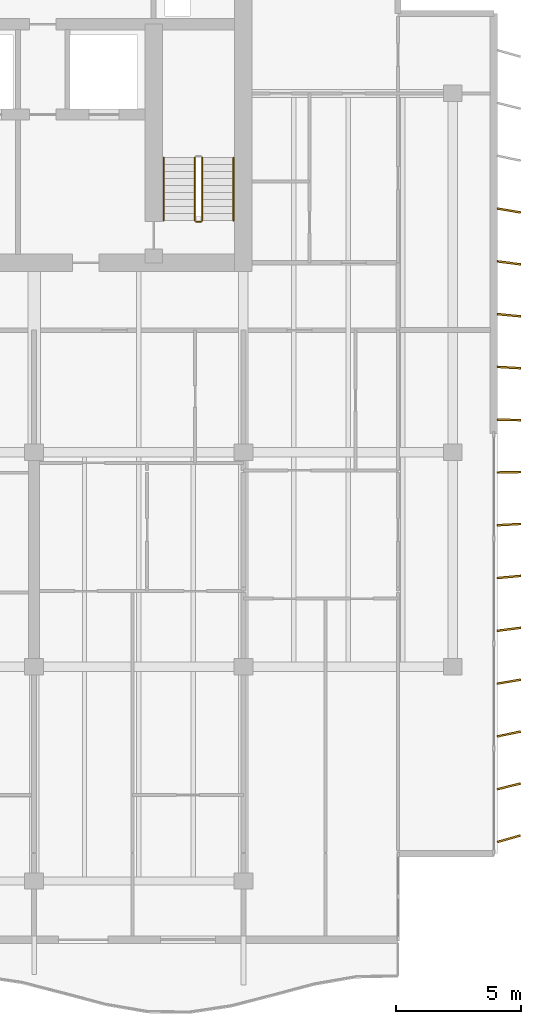
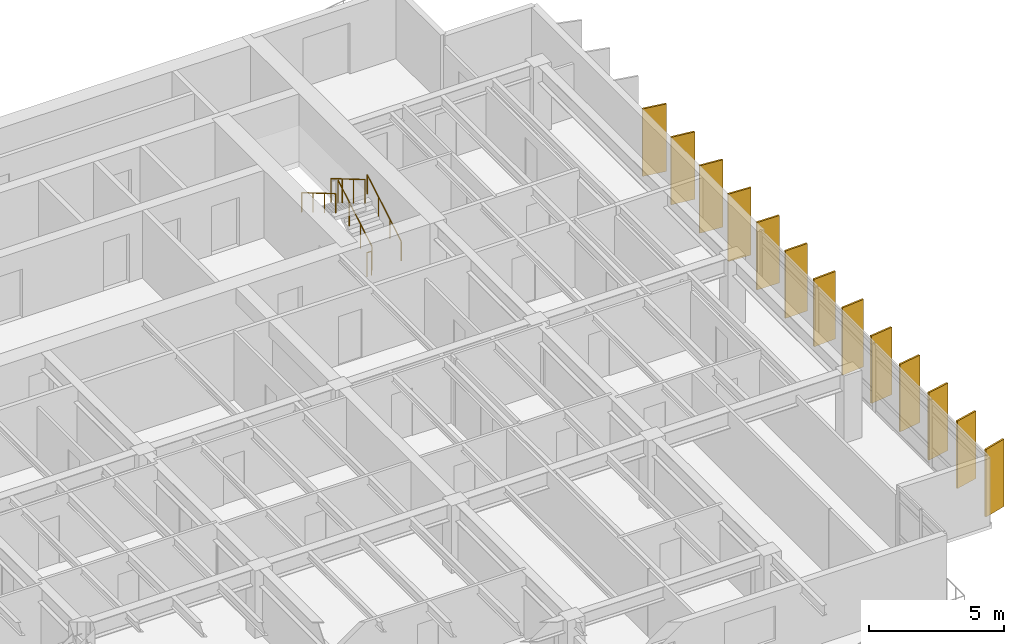
# One storey, part 15 of 17: 13 shading devices, 5 railings.
"""IFC4 building model written with IfcOpenShell, lengths in metres."""

import ifcopenshell
import ifcopenshell.guid

model = None  # the IFC model being written
_history = None  # IfcOwnerHistory: only IFC2X3 demands one
_inside = {}  # id of a spatial element -> (the spatial element, [elements in it])
_under = {}  # id of a project, library or spatial element -> (it, [spatial elements below it])
_declared = {}  # id of a project -> (the project, [libraries it declares])
_typed = {}  # id of a type object -> (the type object, [elements of that type])
_made_of = {}  # id of a material, layer set ... -> (it, [elements and type objects made of it])


def new_model(schema):
    """Start an empty IFC model of exactly this schema.

    Asked for "IFC4X3", IfcOpenShell would pick the latest addendum, in which some entities
    have other attributes; the version numbers below select the first issue.
    IFC2X3 requires an IfcOwnerHistory on every rooted entity: one is made here for all.
    """
    global model, _history
    if schema == "IFC4X3":
        model = ifcopenshell.file(schema_version=(4, 3, 0, 0))
    else:
        model = ifcopenshell.file(schema=schema)
    _inside.clear()
    _under.clear()
    _declared.clear()
    _typed.clear()
    _made_of.clear()
    _history = None
    if model.schema == "IFC2X3":
        org = make("IfcOrganization", Name="unknown")
        user = make(
            "IfcPersonAndOrganization",
            ThePerson=make("IfcPerson", FamilyName="unknown"),
            TheOrganization=org,
        )
        app = make(
            "IfcApplication",
            ApplicationDeveloper=org,
            Version="unknown",
            ApplicationFullName="unknown",
            ApplicationIdentifier="unknown",
        )
        _history = make(
            "IfcOwnerHistory",
            OwningUser=user,
            OwningApplication=app,
            ChangeAction="ADDED",
            CreationDate=0,
        )
    return model


def make(cls, **values):
    """One entity of the class cls with the attributes given. An attribute that is None is left unset."""
    return model.create_entity(
        cls, **{name: value for name, value in values.items() if value is not None}
    )


def rooted(cls, **values):
    """An entity with a GlobalId (a new one), such as an element, a storey or a relation."""
    return make(cls, GlobalId=ifcopenshell.guid.new(), OwnerHistory=_history, **values)


def si_unit(unit_type, name, prefix=None):
    """IfcSIUnit, for example si_unit("LENGTHUNIT", "METRE", prefix="MILLI")."""
    return make("IfcSIUnit", UnitType=unit_type, Prefix=prefix, Name=name)


def assignment(units):
    """IfcUnitAssignment: the units of a project."""
    return None if units is None else make("IfcUnitAssignment", Units=units)


def point(xyz):
    """IfcCartesianPoint."""
    return None if xyz is None else make("IfcCartesianPoint", Coordinates=xyz)


def direction(xyz):
    """IfcDirection."""
    return None if xyz is None else make("IfcDirection", DirectionRatios=xyz)


def frame(location, z_axis=None, x_axis=None):
    """IfcAxis2Placement3D, a coordinate frame: its origin and axes. An axis left out is left unset."""
    return make(
        "IfcAxis2Placement3D",
        Location=point(location),
        Axis=direction(z_axis),
        RefDirection=direction(x_axis),
    )


def frame_2d(location, x_axis=None):
    """IfcAxis2Placement2D, a coordinate frame in the plane: its origin and x axis."""
    return make(
        "IfcAxis2Placement2D", Location=point(location), RefDirection=direction(x_axis)
    )


def origin():
    """The frame at (0, 0, 0) with its axes left unset."""
    return frame((0.0, 0.0, 0.0))


def origin_2d():
    """The frame at (0, 0) in the plane with its x axis left unset."""
    return frame_2d((0.0, 0.0))


def place(relative_to, where):
    """IfcLocalPlacement: puts the frame where relative to a parent placement (None: the world)."""
    return make(
        "IfcLocalPlacement", PlacementRelTo=relative_to, RelativePlacement=where
    )


def context(
    kind, dimensions, precision=None, world=None, true_north=None, identifier=None
):
    """IfcGeometricRepresentationContext, for example the 3D "Model" context."""
    return make(
        "IfcGeometricRepresentationContext",
        ContextIdentifier=identifier,
        ContextType=kind,
        CoordinateSpaceDimension=dimensions,
        Precision=precision,
        WorldCoordinateSystem=world,
        TrueNorth=true_north,
    )


def subcontext(parent, identifier, kind, view, scale=None):
    """IfcGeometricRepresentationSubContext, for example "Body" below "Model"."""
    return make(
        "IfcGeometricRepresentationSubContext",
        ContextIdentifier=identifier,
        ContextType=kind,
        ParentContext=parent,
        TargetScale=scale,
        TargetView=view,
    )


def project(units=None, contexts=None):
    """IfcProject with its units and contexts."""
    return rooted(
        "IfcProject",
        Name="project",
        RepresentationContexts=contexts,
        UnitsInContext=assignment(units),
    )


def spatial(cls, under=None, at=None, **own):
    """A site, building, storey or space (cls), placed at a placement, below another one or the project."""
    s = rooted(cls, ObjectPlacement=at, **own)
    if under is not None:
        _under.setdefault(under.id(), (under, []))[1].append(s)
    return s


def profile(cls, at=None, kind="AREA", **sizes):
    """A parametric profile (cls). Its sizes go by their IFC names, for example OverallWidth=200.0."""
    return make(cls, ProfileType=kind, Position=at, **sizes)


def rectangle(**sizes):
    """IfcRectangleProfileDef."""
    return profile("IfcRectangleProfileDef", **sizes)


def circle(**sizes):
    """IfcCircleProfileDef."""
    return profile("IfcCircleProfileDef", **sizes)


def extrude(swept, where, along, depth):
    """IfcExtrudedAreaSolid: the profile swept, set in the frame where, extruded along a direction by depth."""
    return make(
        "IfcExtrudedAreaSolid",
        SweptArea=swept,
        Position=where,
        ExtrudedDirection=direction(along),
        Depth=depth,
    )


def shape(context_of_items, identifier, shape_type, items):
    """IfcShapeRepresentation: the items that make up one representation, for example the "Body"."""
    return make(
        "IfcShapeRepresentation",
        ContextOfItems=context_of_items,
        RepresentationIdentifier=identifier,
        RepresentationType=shape_type,
        Items=items,
    )


def material(Name=None, Category=None):
    """IfcMaterial."""
    return make("IfcMaterial", Name=Name, Category=Category)


def material_profile(
    of_material, cross_section, Name=None, Category=None, Priority=None
):
    """IfcMaterialProfile: a cross section and its material."""
    return make(
        "IfcMaterialProfile",
        Name=Name,
        Material=of_material,
        Profile=cross_section,
        Priority=Priority,
        Category=Category,
    )


def profile_set(profiles, Name=None, composite=None):
    """IfcMaterialProfileSet."""
    return make(
        "IfcMaterialProfileSet",
        Name=Name,
        MaterialProfiles=profiles,
        CompositeProfile=composite,
    )


def made_of(thing, what):
    """Note that an element or type object is made of a material, layer set ...; save() writes the relation."""
    if what is not None:
        _made_of.setdefault(what.id(), (what, []))[1].append(thing)
    return thing


def type_object(cls, material=None, **own):
    """A type object (cls), such as IfcWallType, which elements share."""
    return made_of(rooted(cls, **own), material)


def element(
    cls,
    number,
    at=None,
    inside=None,
    cuts=None,
    type_object=None,
    material=None,
    context=None,
    identifier="Body",
    shape_type=None,
    held_by="IfcProductDefinitionShape",
    body=None,
    shapes=None,
    **own,
):
    """One element of the class cls, such as IfcWall. Its Tag is "e" and its number.

    at: its placement. inside: the storey or other place that contains it. cuts: it is an
    opening in that element (IfcRelVoidsElement). A single representation is given by context,
    identifier, shape_type and body (its items); several are given by shapes. held_by: the class
    of the entity that holds the representations. save() writes the other relations.
    """
    e = rooted(cls, Tag="e%d" % number, ObjectPlacement=at, **own)
    if body is not None:
        shapes = [shape(context, identifier, shape_type, body)]
    if shapes is not None:
        e.Representation = make(held_by, Representations=shapes)
    if inside is not None:
        _inside.setdefault(inside.id(), (inside, []))[1].append(e)
    if cuts is not None:
        rooted(
            "IfcRelVoidsElement", RelatingBuildingElement=cuts, RelatedOpeningElement=e
        )
    if type_object is not None:
        _typed.setdefault(type_object.id(), (type_object, []))[1].append(e)
    return made_of(e, material)


def aggregate(whole, parts):
    """IfcRelAggregates: a whole, such as a stair, and the parts it consists of."""
    return rooted("IfcRelAggregates", RelatingObject=whole, RelatedObjects=parts)


def save(model, path):
    """Write the relations noted so far, then the file.

    IfcRelAggregates (storeys below a building ...), IfcRelContainedInSpatialStructure (elements
    in a storey), IfcRelDefinesByType, IfcRelAssociatesMaterial and IfcRelDeclares: one each for
    every whole, place, type object, material and project.
    """
    for whole, parts in _under.values():
        aggregate(whole, parts)
    for where, things in _inside.values():
        rooted(
            "IfcRelContainedInSpatialStructure",
            RelatedElements=things,
            RelatingStructure=where,
        )
    for kind, things in _typed.values():
        rooted("IfcRelDefinesByType", RelatedObjects=things, RelatingType=kind)
    for what, things in _made_of.values():
        rooted("IfcRelAssociatesMaterial", RelatedObjects=things, RelatingMaterial=what)
    for by, libraries in _declared.values():
        rooted("IfcRelDeclares", RelatingContext=by, RelatedDefinitions=libraries)
    model.write(path)


model = new_model("IFC4")

# Units and contexts
model_context = context("Model", 3, precision=1e-05, world=origin(), true_north=direction((0.0, 1.0)))
body_context = subcontext(model_context, "Body", "Model", "MODEL_VIEW")
ifc_project = project(units=[si_unit("LENGTHUNIT", "METRE"), si_unit("AREAUNIT", "SQUARE_METRE"), si_unit("VOLUMEUNIT", "CUBIC_METRE"), si_unit("PLANEANGLEUNIT", "RADIAN"), si_unit("MASSUNIT", "GRAM", prefix="KILO")], contexts=[model_context])

# Site, building, storey
site_placement = place(None, origin())
site = spatial("IfcSite", under=ifc_project, at=site_placement, CompositionType="ELEMENT")
building_placement = place(site_placement, origin())
building = spatial("IfcBuilding", under=site, at=building_placement, Name="Caelmar Bay Residences", CompositionType="ELEMENT")
storey_placement = place(building_placement, frame((0.0, 0.0, 259.5)))
storey = spatial("IfcBuildingStorey", under=building, at=storey_placement, Name="L73", CompositionType="ELEMENT", Elevation=259.5)

# Railings
ifc_material_1 = material(Name="Painted galvanized steel stair guard 1100 mm", Category="steel")
railing_type_1 = type_object("IfcRailingType", Name="RL-GRD-1100", PredefinedType="GUARDRAIL", material=ifc_material_1)
railing_1_placement = place(storey_placement, frame((57.85009765625, 38.699951171875, 0.1650390625)))
element("IfcRailing", 1, at=railing_1_placement, inside=storey, type_object=railing_type_1, Name="L73 ST2 stair guard 1", PredefinedType="GUARDRAIL", context=body_context, shape_type="SweptSolid", body=[
    extrude(circle(Radius=0.02392578125, at=origin_2d()), frame((0.0, 0.0, 1.076171875), z_axis=(0.0, 0.861560626758, 0.507654692109), x_axis=(-1.0, 0.0, 0.0)), (0.0, 0.0, 1.0), 2.925048828125),
    extrude(circle(Radius=0.02099609375, at=origin_2d()), origin(), (0.0, 0.0, 1.0), 1.052001953125),
    extrude(circle(Radius=0.02099609375, at=origin_2d()), frame((0.0, 0.840087890625, 0.494873046875)), (0.0, 0.0, 1.0), 1.052001953125),
    extrude(circle(Radius=0.02099609375, at=origin_2d()), frame((0.0, 1.679931640625, 0.989990234375)), (0.0, 0.0, 1.0), 1.052001953125),
    extrude(circle(Radius=0.02099609375, at=origin_2d()), frame((0.0, 2.52001953125, 1.48486328125)), (0.0, 0.0, 1.0), 1.052001953125),
])
railing_2_placement = place(storey_placement, frame((57.550048828125, 41.219970703125, 1.81494140625)))
element("IfcRailing", 2, at=railing_2_placement, inside=storey, type_object=railing_type_1, Name="L73 ST2 stair guard 3", PredefinedType="GUARDRAIL", context=body_context, shape_type="SweptSolid", body=[
    extrude(circle(Radius=0.02392578125, at=origin_2d()), frame((0.0, 0.0, 1.076171875), z_axis=(0.0, -0.86152411907, 0.507716645641), x_axis=(1.0, 0.0, 0.0)), (0.0, 0.0, 1.0), 2.925048828125),
    extrude(circle(Radius=0.02099609375, at=origin_2d()), origin(), (0.0, 0.0, 1.0), 1.052001953125),
    extrude(circle(Radius=0.02099609375, at=origin_2d()), frame((0.0, -0.840087890625, 0.4951171875)), (0.0, 0.0, 1.0), 1.052001953125),
    extrude(circle(Radius=0.02099609375, at=origin_2d()), frame((0.0, -1.679931640625, 0.989990234375)), (0.0, 0.0, 1.0), 1.052001953125),
    extrude(circle(Radius=0.02099609375, at=origin_2d()), frame((0.0, -2.52001953125, 1.485107421875)), (0.0, 0.0, 1.0), 1.052001953125),
])
railing_3_placement = place(storey_placement, frame((57.800048828125, 38.64990234375, 0.0)))
element("IfcRailing", 3, at=railing_3_placement, inside=storey, type_object=railing_type_1, Name="L73 ST2 stair guard 4", PredefinedType="GUARDRAIL", context=body_context, shape_type="SweptSolid", body=[
    extrude(circle(Radius=0.02392578125, at=origin_2d()), frame((0.0, 0.0, 1.076171875), z_axis=(-1.0, 0.0, 0.0), x_axis=(0.0, -1.0, 0.0)), (0.0, 0.0, 1.0), 0.199951171875),
    extrude(circle(Radius=0.02099609375, at=origin_2d()), origin(), (0.0, 0.0, 1.0), 1.052001953125),
    extrude(circle(Radius=0.02099609375, at=origin_2d()), frame((-0.199951171875, 0.0, 0.0)), (0.0, 0.0, 1.0), 1.052001953125),
])
ifc_material_2 = material(Name="Brushed bronze stainless-steel tubular handrail 900 mm", Category="steel")
railing_type_2 = type_object("IfcRailingType", Name="RL-HND-900", PredefinedType="HANDRAIL", material=ifc_material_2)
railing_4_placement = place(storey_placement, frame((59.10009765625, 38.699951171875, 0.1650390625)))
element("IfcRailing", 4, at=railing_4_placement, inside=storey, type_object=railing_type_2, Name="L73 ST2 stair handrail 1", PredefinedType="HANDRAIL", context=body_context, shape_type="SweptSolid", body=[
    extrude(circle(Radius=0.02392578125, at=origin_2d()), frame((0.0, 0.0, 0.8759765625), z_axis=(0.0, 0.861560626758, 0.507654692109), x_axis=(-1.0, 0.0, 0.0)), (0.0, 0.0, 1.0), 2.925048828125),
    extrude(circle(Radius=0.02099609375, at=origin_2d()), origin(), (0.0, 0.0, 1.0), 0.851806640625),
    extrude(circle(Radius=0.02099609375, at=origin_2d()), frame((0.0, 0.840087890625, 0.494873046875)), (0.0, 0.0, 1.0), 0.851806640625),
    extrude(circle(Radius=0.02099609375, at=origin_2d()), frame((0.0, 1.679931640625, 0.989990234375)), (0.0, 0.0, 1.0), 0.851806640625),
    extrude(circle(Radius=0.02099609375, at=origin_2d()), frame((0.0, 2.52001953125, 1.48486328125)), (0.0, 0.0, 1.0), 0.851806640625),
])
railing_5_placement = place(storey_placement, frame((56.300048828125, 41.219970703125, 1.81494140625)))
element("IfcRailing", 5, at=railing_5_placement, inside=storey, type_object=railing_type_2, Name="L73 ST2 stair handrail 2", PredefinedType="HANDRAIL", context=body_context, shape_type="SweptSolid", body=[
    extrude(circle(Radius=0.02392578125, at=origin_2d()), frame((0.0, 0.0, 0.8759765625), z_axis=(0.0, -0.86152411907, 0.507716645641), x_axis=(1.0, 0.0, 0.0)), (0.0, 0.0, 1.0), 2.925048828125),
    extrude(circle(Radius=0.02099609375, at=origin_2d()), origin(), (0.0, 0.0, 1.0), 0.851806640625),
    extrude(circle(Radius=0.02099609375, at=origin_2d()), frame((0.0, -0.840087890625, 0.4951171875)), (0.0, 0.0, 1.0), 0.851806640625),
    extrude(circle(Radius=0.02099609375, at=origin_2d()), frame((0.0, -1.679931640625, 0.989990234375)), (0.0, 0.0, 1.0), 0.851806640625),
    extrude(circle(Radius=0.02099609375, at=origin_2d()), frame((0.0, -2.52001953125, 1.485107421875)), (0.0, 0.0, 1.0), 0.851806640625),
])

# Shading devices
ifc_material_3 = material(Name="Anodised architectural bronze aluminium 6063-T6", Category="aluminium")
ifc_material_profile = material_profile(ifc_material_3, rectangle(XDim=0.074951171875, YDim=0.949951171875, at=origin_2d()), Name="BRONZE-FIN-75X950")
ifc_profile_set = profile_set([ifc_material_profile], Name="Anodised architectural bronze aluminium 6063-T6")
shading_device_type = type_object("IfcShadingDeviceType", Name="SHD-FIN-950", PredefinedType="USERDEFINED", material=ifc_profile_set)
for number, where, z_axis, x_axis, name in (
    (6, (70.14990234375, 13.89990234375, 0.0), (0.0, 0.0, 1.0), (-0.275637355817, 0.961261695938, 0.0), "L73 East Bronze Solar Fin 1"),
    (7, (70.14990234375, 16.0, 0.0), (0.0, 0.0, 1.0), (-0.239719743609, 0.970842131618, 0.0), "L73 East Bronze Solar Fin 2"),
    (8, (70.14990234375, 18.10009765625, 0.0), (0.0, 0.0, 1.0), (-0.2032999874, 0.979116497217, 0.0), "L73 East Bronze Solar Fin 3"),
    (9, (70.14990234375, 20.199951171875, 0.0), (0.0, 0.0, 1.0), (-0.166768746716, 0.985996037071, 0.0), "L73 East Bronze Solar Fin 4"),
    (10, (70.14990234375, 22.300048828125, 0.0), (0.0, 0.0, 1.0), (-0.130007055036, 0.99151306882, 0.0), "L73 East Bronze Solar Fin 5"),
    (11, (70.14990234375, 24.39990234375, 0.0), (0.0, 0.0, 1.0), (-0.092891934994, 0.995676196569, 0.0), "L73 East Bronze Solar Fin 6"),
    (12, (70.14990234375, 26.5, 0.0), (0.0, 0.0, 1.0), (-0.055821504993, 0.998440764182, 0.0), "L73 East Bronze Solar Fin 7"),
    (13, (70.14990234375, 28.60009765625, 0.0), (0.0, 0.0, 1.0), (-0.018673937509, 0.999825626826, 0.0), "L73 East Bronze Solar Fin 8"),
    (14, (70.14990234375, 30.699951171875, 0.0), (0.0, 0.0, 1.0), (0.018673937509, 0.999825626826, 0.0), "L73 East Bronze Solar Fin 9"),
    (15, (70.14990234375, 32.800048828125, 0.0), (0.0, 0.0, 1.0), (0.055821504993, 0.998440764182, 0.0), "L73 East Bronze Solar Fin 10"),
    (16, (70.14990234375, 34.89990234375, 0.0), (0.0, 0.0, 1.0), (0.092891934994, 0.995676196569, 0.0), "L73 East Bronze Solar Fin 11"),
    (17, (70.14990234375, 37.0, 0.0), (0.0, 0.0, 1.0), (0.130007055036, 0.99151306882, 0.0), "L73 East Bronze Solar Fin 12"),
    (18, (70.14990234375, 39.10009765625, 0.0), (0.0, 0.0, 1.0), (0.166768746716, 0.985996037071, 0.0), "L73 East Bronze Solar Fin 13"),
):
    element("IfcShadingDevice", number, at=place(storey_placement, frame(where, z_axis=z_axis, x_axis=x_axis)), inside=storey, type_object=shading_device_type, Name=name, ObjectType="FIN", PredefinedType="USERDEFINED", context=body_context, shape_type="SweptSolid", body=[
        extrude(rectangle(XDim=0.074951171875, YDim=0.949951171875, at=origin_2d()), origin(), (0.0, 0.0, 1.0), 3.050048828125),
    ])

save(model, "model.ifc")
